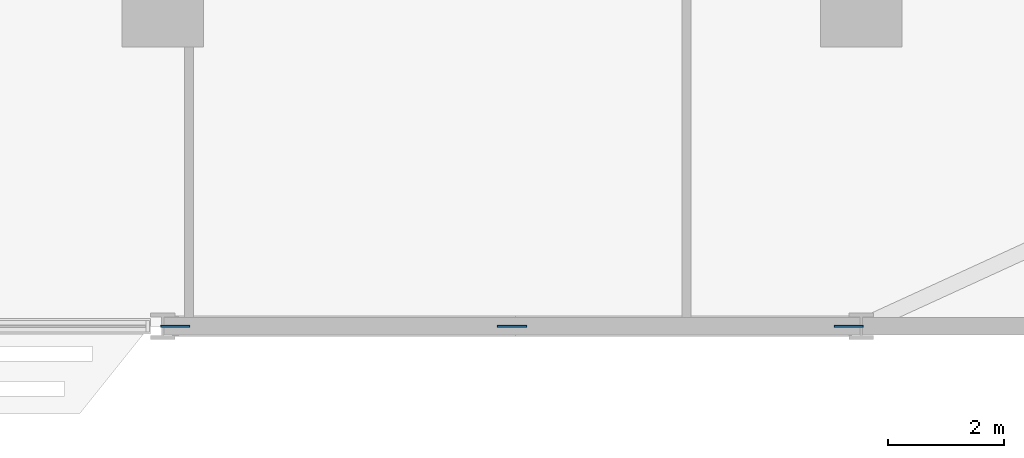
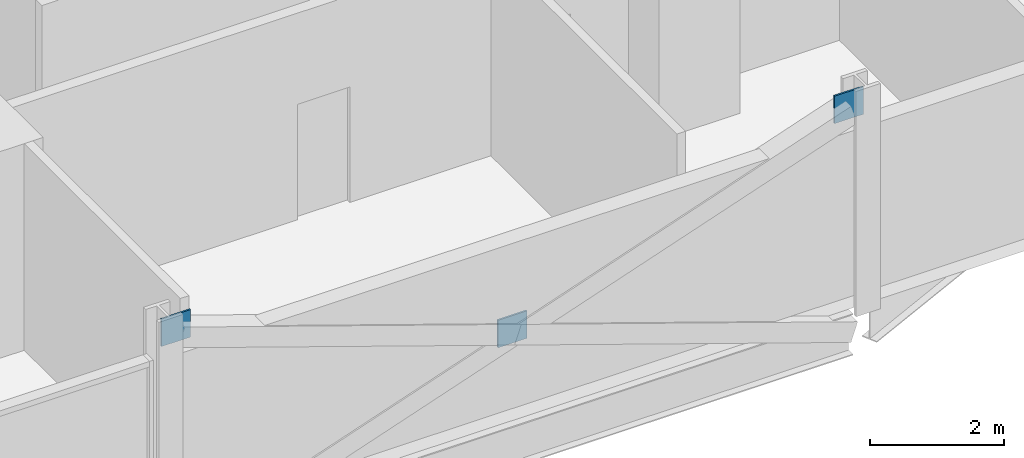
# One storey, part 21 of 29: 3 discrete accessories.
"""IFC4 building model written with IfcOpenShell, lengths in metres."""

import ifcopenshell
import ifcopenshell.guid

model = None  # the IFC model being written
_history = None  # IfcOwnerHistory: only IFC2X3 demands one
_inside = {}  # id of a spatial element -> (the spatial element, [elements in it])
_under = {}  # id of a project, library or spatial element -> (it, [spatial elements below it])
_declared = {}  # id of a project -> (the project, [libraries it declares])
_typed = {}  # id of a type object -> (the type object, [elements of that type])
_made_of = {}  # id of a material, layer set ... -> (it, [elements and type objects made of it])


def new_model(schema):
    """Start an empty IFC model of exactly this schema.

    Asked for "IFC4X3", IfcOpenShell would pick the latest addendum, in which some entities
    have other attributes; the version numbers below select the first issue.
    IFC2X3 requires an IfcOwnerHistory on every rooted entity: one is made here for all.
    """
    global model, _history
    if schema == "IFC4X3":
        model = ifcopenshell.file(schema_version=(4, 3, 0, 0))
    else:
        model = ifcopenshell.file(schema=schema)
    _inside.clear()
    _under.clear()
    _declared.clear()
    _typed.clear()
    _made_of.clear()
    _history = None
    if model.schema == "IFC2X3":
        org = make("IfcOrganization", Name="unknown")
        user = make(
            "IfcPersonAndOrganization",
            ThePerson=make("IfcPerson", FamilyName="unknown"),
            TheOrganization=org,
        )
        app = make(
            "IfcApplication",
            ApplicationDeveloper=org,
            Version="unknown",
            ApplicationFullName="unknown",
            ApplicationIdentifier="unknown",
        )
        _history = make(
            "IfcOwnerHistory",
            OwningUser=user,
            OwningApplication=app,
            ChangeAction="ADDED",
            CreationDate=0,
        )
    return model


def make(cls, **values):
    """One entity of the class cls with the attributes given. An attribute that is None is left unset."""
    return model.create_entity(
        cls, **{name: value for name, value in values.items() if value is not None}
    )


def rooted(cls, **values):
    """An entity with a GlobalId (a new one), such as an element, a storey or a relation."""
    return make(cls, GlobalId=ifcopenshell.guid.new(), OwnerHistory=_history, **values)


def si_unit(unit_type, name, prefix=None):
    """IfcSIUnit, for example si_unit("LENGTHUNIT", "METRE", prefix="MILLI")."""
    return make("IfcSIUnit", UnitType=unit_type, Prefix=prefix, Name=name)


def assignment(units):
    """IfcUnitAssignment: the units of a project."""
    return None if units is None else make("IfcUnitAssignment", Units=units)


def point(xyz):
    """IfcCartesianPoint."""
    return None if xyz is None else make("IfcCartesianPoint", Coordinates=xyz)


def direction(xyz):
    """IfcDirection."""
    return None if xyz is None else make("IfcDirection", DirectionRatios=xyz)


def frame(location, z_axis=None, x_axis=None):
    """IfcAxis2Placement3D, a coordinate frame: its origin and axes. An axis left out is left unset."""
    return make(
        "IfcAxis2Placement3D",
        Location=point(location),
        Axis=direction(z_axis),
        RefDirection=direction(x_axis),
    )


def frame_2d(location, x_axis=None):
    """IfcAxis2Placement2D, a coordinate frame in the plane: its origin and x axis."""
    return make(
        "IfcAxis2Placement2D", Location=point(location), RefDirection=direction(x_axis)
    )


def origin():
    """The frame at (0, 0, 0) with its axes left unset."""
    return frame((0.0, 0.0, 0.0))


def origin_2d():
    """The frame at (0, 0) in the plane with its x axis left unset."""
    return frame_2d((0.0, 0.0))


def place(relative_to, where):
    """IfcLocalPlacement: puts the frame where relative to a parent placement (None: the world)."""
    return make(
        "IfcLocalPlacement", PlacementRelTo=relative_to, RelativePlacement=where
    )


def context(
    kind, dimensions, precision=None, world=None, true_north=None, identifier=None
):
    """IfcGeometricRepresentationContext, for example the 3D "Model" context."""
    return make(
        "IfcGeometricRepresentationContext",
        ContextIdentifier=identifier,
        ContextType=kind,
        CoordinateSpaceDimension=dimensions,
        Precision=precision,
        WorldCoordinateSystem=world,
        TrueNorth=true_north,
    )


def subcontext(parent, identifier, kind, view, scale=None):
    """IfcGeometricRepresentationSubContext, for example "Body" below "Model"."""
    return make(
        "IfcGeometricRepresentationSubContext",
        ContextIdentifier=identifier,
        ContextType=kind,
        ParentContext=parent,
        TargetScale=scale,
        TargetView=view,
    )


def project(units=None, contexts=None):
    """IfcProject with its units and contexts."""
    return rooted(
        "IfcProject",
        Name="project",
        RepresentationContexts=contexts,
        UnitsInContext=assignment(units),
    )


def spatial(cls, under=None, at=None, **own):
    """A site, building, storey or space (cls), placed at a placement, below another one or the project."""
    s = rooted(cls, ObjectPlacement=at, **own)
    if under is not None:
        _under.setdefault(under.id(), (under, []))[1].append(s)
    return s


def profile(cls, at=None, kind="AREA", **sizes):
    """A parametric profile (cls). Its sizes go by their IFC names, for example OverallWidth=200.0."""
    return make(cls, ProfileType=kind, Position=at, **sizes)


def rectangle(**sizes):
    """IfcRectangleProfileDef."""
    return profile("IfcRectangleProfileDef", **sizes)


def extrude(swept, where, along, depth):
    """IfcExtrudedAreaSolid: the profile swept, set in the frame where, extruded along a direction by depth."""
    return make(
        "IfcExtrudedAreaSolid",
        SweptArea=swept,
        Position=where,
        ExtrudedDirection=direction(along),
        Depth=depth,
    )


def shape(context_of_items, identifier, shape_type, items):
    """IfcShapeRepresentation: the items that make up one representation, for example the "Body"."""
    return make(
        "IfcShapeRepresentation",
        ContextOfItems=context_of_items,
        RepresentationIdentifier=identifier,
        RepresentationType=shape_type,
        Items=items,
    )


def material(Name=None, Category=None):
    """IfcMaterial."""
    return make("IfcMaterial", Name=Name, Category=Category)


def layer(
    of_material, thickness, ventilated=None, Name=None, Category=None, Priority=None
):
    """IfcMaterialLayer: one layer of a wall or slab, of a material (None: an air gap)."""
    return make(
        "IfcMaterialLayer",
        Material=of_material,
        LayerThickness=thickness,
        IsVentilated=ventilated,
        Name=Name,
        Category=Category,
        Priority=Priority,
    )


def layer_set(layers, Name=None):
    """IfcMaterialLayerSet."""
    return make("IfcMaterialLayerSet", MaterialLayers=layers, LayerSetName=Name)


def made_of(thing, what):
    """Note that an element or type object is made of a material, layer set ...; save() writes the relation."""
    if what is not None:
        _made_of.setdefault(what.id(), (what, []))[1].append(thing)
    return thing


def type_object(cls, material=None, **own):
    """A type object (cls), such as IfcWallType, which elements share."""
    return made_of(rooted(cls, **own), material)


def element(
    cls,
    number,
    at=None,
    inside=None,
    cuts=None,
    type_object=None,
    material=None,
    context=None,
    identifier="Body",
    shape_type=None,
    held_by="IfcProductDefinitionShape",
    body=None,
    shapes=None,
    **own,
):
    """One element of the class cls, such as IfcWall. Its Tag is "e" and its number.

    at: its placement. inside: the storey or other place that contains it. cuts: it is an
    opening in that element (IfcRelVoidsElement). A single representation is given by context,
    identifier, shape_type and body (its items); several are given by shapes. held_by: the class
    of the entity that holds the representations. save() writes the other relations.
    """
    e = rooted(cls, Tag="e%d" % number, ObjectPlacement=at, **own)
    if body is not None:
        shapes = [shape(context, identifier, shape_type, body)]
    if shapes is not None:
        e.Representation = make(held_by, Representations=shapes)
    if inside is not None:
        _inside.setdefault(inside.id(), (inside, []))[1].append(e)
    if cuts is not None:
        rooted(
            "IfcRelVoidsElement", RelatingBuildingElement=cuts, RelatedOpeningElement=e
        )
    if type_object is not None:
        _typed.setdefault(type_object.id(), (type_object, []))[1].append(e)
    return made_of(e, material)


def aggregate(whole, parts):
    """IfcRelAggregates: a whole, such as a stair, and the parts it consists of."""
    return rooted("IfcRelAggregates", RelatingObject=whole, RelatedObjects=parts)


def save(model, path):
    """Write the relations noted so far, then the file.

    IfcRelAggregates (storeys below a building ...), IfcRelContainedInSpatialStructure (elements
    in a storey), IfcRelDefinesByType, IfcRelAssociatesMaterial and IfcRelDeclares: one each for
    every whole, place, type object, material and project.
    """
    for whole, parts in _under.values():
        aggregate(whole, parts)
    for where, things in _inside.values():
        rooted(
            "IfcRelContainedInSpatialStructure",
            RelatedElements=things,
            RelatingStructure=where,
        )
    for kind, things in _typed.values():
        rooted("IfcRelDefinesByType", RelatedObjects=things, RelatingType=kind)
    for what, things in _made_of.values():
        rooted("IfcRelAssociatesMaterial", RelatedObjects=things, RelatingMaterial=what)
    for by, libraries in _declared.values():
        rooted("IfcRelDeclares", RelatingContext=by, RelatedDefinitions=libraries)
    model.write(path)


model = new_model("IFC4")

# Units and contexts
model_context = context("Model", 3, precision=1e-05, world=origin(), true_north=direction((0.0, 1.0)))
body_context = subcontext(model_context, "Body", "Model", "MODEL_VIEW")
ifc_project = project(units=[si_unit("LENGTHUNIT", "METRE"), si_unit("AREAUNIT", "SQUARE_METRE"), si_unit("VOLUMEUNIT", "CUBIC_METRE"), si_unit("PLANEANGLEUNIT", "RADIAN"), si_unit("MASSUNIT", "GRAM", prefix="KILO")], contexts=[model_context])

# Site, building, storey
site_placement = place(None, origin())
site = spatial("IfcSite", under=ifc_project, at=site_placement, CompositionType="ELEMENT")
building_placement = place(site_placement, origin())
building = spatial("IfcBuilding", under=site, at=building_placement, Name="Mahtab Terrace Research Tower", CompositionType="ELEMENT")
storey_placement = place(building_placement, frame((0.0, 0.0, 93.0)))
storey = spatial("IfcBuildingStorey", under=building, at=storey_placement, Name="L21", CompositionType="ELEMENT", Elevation=93.0)

# Discrete accessories
ifc_material = material(Name="Steel ASTM A992 Gr 50", Category="steel")
ifc_layer = layer(ifc_material, 0.030029296875)
ifc_layer_set = layer_set([ifc_layer], Name="Gusset plate 500x500x30")
discrete_accessory_type = type_object("IfcDiscreteAccessoryType", Name="Gusset plate 500x500x30", PredefinedType="USERDEFINED", material=ifc_layer_set)
for number, where, z_axis, x_axis, name in (
    (1, (30.209716796875, -17.0, 3.131591796875), (0.0, 0.0, 1.0), (1.0, 0.0, 0.0), "Gusset plate"),
    (2, (36.0, -17.0, 1.08154296875), (0.0, 0.0, 1.0), (1.0, 0.0, 0.0), "Gusset plate"),
    (3, (41.790283203125, -17.0, 3.131591796875), (0.0, 0.0, 1.0), (1.0, 0.0, 0.0), "Gusset plate"),
):
    element("IfcDiscreteAccessory", number, at=place(storey_placement, frame(where, z_axis=z_axis, x_axis=x_axis)), inside=storey, type_object=discrete_accessory_type, Name=name, ObjectType="GUSSET PLATE", PredefinedType="USERDEFINED", context=body_context, shape_type="SweptSolid", body=[
        extrude(rectangle(XDim=0.5, YDim=0.030029296875, at=origin_2d()), origin(), (0.0, 0.0, 1.0), 0.5),
    ])

save(model, "model.ifc")
